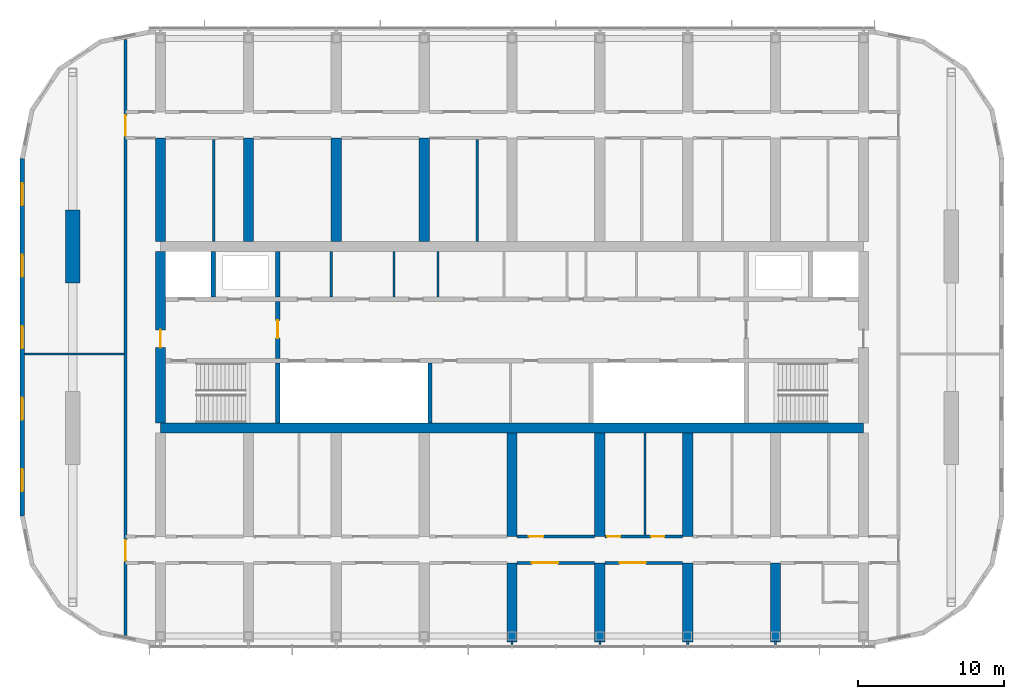
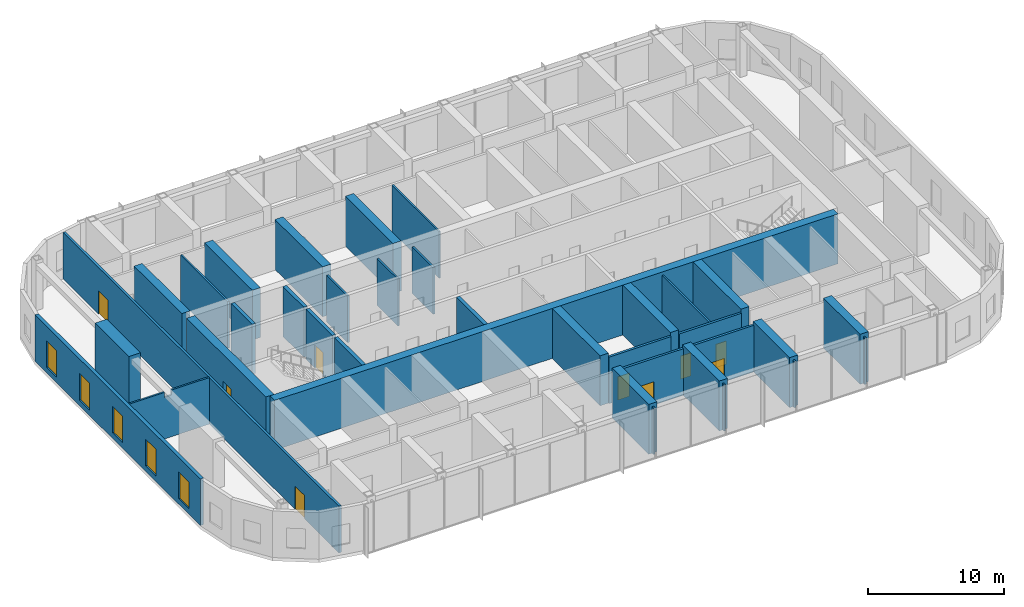
# One storey, part 11 of 21: 36 walls, 9 doors, 5 windows, 14 openings.
"""IFC4 building model written with IfcOpenShell, lengths in metres."""

from ifc_helpers import new_model, si_unit, direction, frame, frame_2d, origin, place, context, subcontext, project, spatial, polyline, rectangle, outline, extrude, material, layer, layer_set, type_object, element, fill, save


model = new_model("IFC4")

# Units and contexts
model_context = context("Model", 3, precision=1e-05, world=origin(), true_north=direction((0.0, 1.0)))
body_context = subcontext(model_context, "Body", "Model", "MODEL_VIEW")
ifc_project = project(units=[si_unit("LENGTHUNIT", "METRE"), si_unit("AREAUNIT", "SQUARE_METRE"), si_unit("VOLUMEUNIT", "CUBIC_METRE"), si_unit("PLANEANGLEUNIT", "RADIAN"), si_unit("MASSUNIT", "GRAM", prefix="KILO")], contexts=[model_context])

# Site, building, storey
site_placement = place(None, origin())
site = spatial("IfcSite", under=ifc_project, at=site_placement, CompositionType="ELEMENT")
building_placement = place(site_placement, origin())
building = spatial("IfcBuilding", under=site, at=building_placement, Name="Orbita Commons", CompositionType="ELEMENT")
storey_placement = place(building_placement, frame((0.0, 0.0, 257.800048828125)))
storey = spatial("IfcBuildingStorey", under=building, at=storey_placement, Name="L64", CompositionType="ELEMENT", Elevation=257.800048828125)

# Wall
ifc_material_1 = material(Name="Concrete C50/60", Category="concrete")
ifc_layer_1 = layer(ifc_material_1, 0.300048828125)
ifc_layer_set_1 = layer_set([ifc_layer_1], Name="Concrete C50/60")
wall_type_1 = type_object("IfcWallType", Name="Core inner wall 300 C50/60", PredefinedType="SHEAR", material=ifc_layer_set_1)
wall_1_placement = place(storey_placement, frame((26.0, 26.14990234375, 0.0), z_axis=(0.0, 0.0, 1.0), x_axis=(0.0, 1.0, 0.0)))
element("IfcWall", 1, at=wall_1_placement, inside=storey, type_object=wall_type_1, Name="Stair S1 wall L64", PredefinedType="SHEAR", context=body_context, shape_type="SweptSolid", body=[
    extrude(rectangle(XDim=4.10009765625, YDim=0.300048828125, at=frame_2d((2.050048828125, 0.0))), origin(), (0.0, 0.0, 1.0), 4.5),
])

# Wall, opening, door
wall_2_placement = place(storey_placement, frame((26.0, 30.550048828125, 0.0), z_axis=(0.0, 0.0, 1.0), x_axis=(0.0, 1.0, 0.0)))
wall_2 = element("IfcWall", 2, at=wall_2_placement, inside=storey, type_object=wall_type_1, Name="Firefighting lobby wall west L64", PredefinedType="SHEAR", context=body_context, shape_type="SweptSolid", body=[
    extrude(rectangle(XDim=3.89990234375, YDim=0.300048828125, at=frame_2d((1.949951171875, 0.0))), origin(), (0.0, 0.0, 1.0), 4.5),
])
opening_1_placement = place(wall_2_placement, frame((1.39990234375, 0.0, 0.0)))
opening_1 = element("IfcOpeningElement", 3, at=opening_1_placement, cuts=wall_2, Name="Opening D04", PredefinedType="OPENING", context=body_context, shape_type="SweptSolid", body=[
    extrude(rectangle(XDim=1.199951171875, YDim=2.10009765625, at=frame_2d((0.60009765625, 1.050048828125))), frame((0.0, 0.159912109375, 0.0), z_axis=(0.0, -1.0, 0.0), x_axis=(1.0, 0.0, 0.0)), (0.0, 0.0, 1.0), 0.320068359375),
])
ifc_material_2 = material(Name="Steel-faced fire door leaf", Category="steel")
door_type_1 = type_object("IfcDoorType", Name="Service door 20 min 1200x2100", OperationType="SINGLE_SWING_LEFT", PredefinedType="DOOR", material=ifc_material_2)
door_1_placement = place(opening_1_placement, origin())
door_1 = element("IfcDoor", 4, at=door_1_placement, inside=storey, type_object=door_type_1, Name="Lift lobby door west", OperationType="SINGLE_SWING_LEFT", OverallHeight=2.10009765625, OverallWidth=1.199951171875, PredefinedType="DOOR", context=body_context, shape_type="SweptSolid", body=[
    extrude(rectangle(XDim=1.199951171875, YDim=2.10009765625, at=frame_2d((0.60009765625, 1.050048828125))), frame((0.0, 0.02490234375, 0.0), z_axis=(0.0, -1.0, 0.0), x_axis=(1.0, 0.0, 0.0)), (0.0, 0.0, 1.0), 0.050048828125),
])
fill(opening_1, door_1)

# Walls
for number, where, z_axis, x_axis, name in (
    (5, (21.60009765625, 34.75, 0.0), (0.0, 0.0, 1.0), (0.0, 1.0, 0.0), "Firefighting lift FL1 shaft wall L64"),
    (6, (26.0, 34.75, 0.0), (0.0, 0.0, 1.0), (0.0, 1.0, 0.0), "Riser wall west L64"),
):
    element("IfcWall", number, at=place(storey_placement, frame(where, z_axis=z_axis, x_axis=x_axis)), inside=storey, type_object=wall_type_1, Name=name, PredefinedType="SHEAR", context=body_context, shape_type="SweptSolid", body=[
        extrude(rectangle(XDim=3.10009765625, YDim=0.300048828125, at=frame_2d((1.550048828125, 0.0))), origin(), (0.0, 0.0, 1.0), 4.5),
    ])
wall_3_placement = place(storey_placement, frame((36.39990234375, 26.14990234375, 0.0), z_axis=(0.0, 0.0, 1.0), x_axis=(0.0, 1.0, 0.0)))
element("IfcWall", 7, at=wall_3_placement, inside=storey, type_object=wall_type_1, Name="Hoistway division wall L64", PredefinedType="SHEAR", context=body_context, shape_type="SweptSolid", body=[
    extrude(rectangle(XDim=4.10009765625, YDim=0.300048828125, at=frame_2d((2.050048828125, 0.0))), origin(), (0.0, 0.0, 1.0), 4.5),
])
ifc_material_3 = material(Name="Concrete blockwork", Category="masonry")
ifc_layer_2 = layer(ifc_material_3, 0.14990234375)
ifc_layer_set_2 = layer_set([ifc_layer_2], Name="Concrete blockwork")
wall_type_2 = type_object("IfcWallType", Name="Core partition 150 blockwork", PredefinedType="SOLIDWALL", material=ifc_layer_set_2)
for number, where, z_axis, x_axis, name in (
    (8, (29.65087890625, 34.75, 0.0), (0.0, 0.0, 1.0), (0.0, 1.0, 0.0), "Core partition 150 blockwork L64"),
    (9, (33.9462890625, 34.75, 0.0), (0.0, 0.0, 1.0), (0.0, 1.0, 0.0), "Core partition 150 blockwork L64"),
    (10, (36.9462890625, 34.75, 0.0), (0.0, 0.0, 1.0), (0.0, 1.0, 0.0), "Core partition 150 blockwork L64"),
):
    element("IfcWall", number, at=place(storey_placement, frame(where, z_axis=z_axis, x_axis=x_axis)), inside=storey, type_object=wall_type_2, Name=name, PredefinedType="SOLIDWALL", context=body_context, shape_type="SweptSolid", body=[
        extrude(rectangle(XDim=3.10009765625, YDim=0.14990234375, at=frame_2d((1.550048828125, 0.0))), origin(), (0.0, 0.0, 1.0), 4.199951171875),
    ])
ifc_material_4 = material(Name="Concrete C50/60", Category="concrete")
ifc_layer_3 = layer(ifc_material_4, 0.699951171875)
ifc_layer_set_3 = layer_set([ifc_layer_3], Name="Concrete C50/60")
wall_type_3 = type_object("IfcWallType", Name="Core wall 700 C50/60", PredefinedType="SHEAR", material=ifc_layer_set_3)
wall_4_placement = place(storey_placement, frame((18.0, 25.800048828125, 0.0), z_axis=(0.0, 0.0, 1.0), x_axis=(1.0, 0.0, 0.0)))
element("IfcWall", 11, at=wall_4_placement, inside=storey, type_object=wall_type_3, Name="Core spine wall south L64", PredefinedType="SHEAR", context=body_context, shape_type="SweptSolid", body=[
    extrude(rectangle(XDim=48.0, YDim=0.699951171875, at=frame_2d((24.0, 0.0))), origin(), (0.0, 0.0, 1.0), 4.5),
])

# Wall, opening, door
wall_5_placement = place(storey_placement, frame((18.0, 26.14990234375, 0.0), z_axis=(0.0, 0.0, 1.0), x_axis=(0.0, 1.0, 0.0)))
wall_5 = element("IfcWall", 12, at=wall_5_placement, inside=storey, type_object=wall_type_3, Name="Core end wall west L64", PredefinedType="SHEAR", context=body_context, shape_type="SweptSolid", body=[
    extrude(rectangle(XDim=11.7001953125, YDim=0.699951171875, at=frame_2d((5.85009765625, 0.0))), origin(), (0.0, 0.0, 1.0), 4.5),
])
opening_2_placement = place(wall_5_placement, frame((5.14990234375, 0.0, 0.0)))
opening_2 = element("IfcOpeningElement", 13, at=opening_2_placement, cuts=wall_5, Name="Opening D01", PredefinedType="OPENING", context=body_context, shape_type="SweptSolid", body=[
    extrude(rectangle(XDim=1.199951171875, YDim=2.10009765625, at=frame_2d((0.60009765625, 1.050048828125))), frame((0.0, 0.35986328125, 0.0), z_axis=(0.0, -1.0, 0.0), x_axis=(1.0, 0.0, 0.0)), (0.0, 0.0, 1.0), 0.719970703125),
])
ifc_material_5 = material(Name="Steel-faced fire door leaf", Category="steel")
door_type_2 = type_object("IfcDoorType", Name="Fire door 90 min 1200x2100", OperationType="SINGLE_SWING_LEFT", PredefinedType="DOOR", material=ifc_material_5)
door_2_placement = place(opening_2_placement, origin())
door_2 = element("IfcDoor", 14, at=door_2_placement, inside=storey, type_object=door_type_2, Name="Firefighting lobby west door", OperationType="SINGLE_SWING_LEFT", OverallHeight=2.10009765625, OverallWidth=1.199951171875, PredefinedType="DOOR", context=body_context, shape_type="SweptSolid", body=[
    extrude(rectangle(XDim=1.199951171875, YDim=2.10009765625, at=frame_2d((0.60009765625, 1.050048828125))), frame((0.0, 0.02490234375, 0.0), z_axis=(0.0, -1.0, 0.0), x_axis=(1.0, 0.0, 0.0)), (0.0, 0.0, 1.0), 0.050048828125),
])
fill(opening_2, door_2)

ifc_material_6 = material(Name="Concrete blockwork", Category="masonry")
ifc_layer_4 = layer(ifc_material_6, 0.199951171875)
ifc_layer_set_4 = layer_set([ifc_layer_4], Name="Concrete blockwork")
wall_type_4 = type_object("IfcWallType", Name="Corridor wall 200 blockwork", PredefinedType="SOLIDWALL", material=ifc_layer_set_4)
wall_6_placement = place(storey_placement, frame((42.35009765625, 16.60009765625, 0.0), z_axis=(0.0, 0.0, 1.0), x_axis=(1.0, 0.0, 0.0)))
wall_6 = element("IfcWall", 15, at=wall_6_placement, inside=storey, type_object=wall_type_4, Name="Corridor wall 200 blockwork L64", PredefinedType="SOLIDWALL", context=body_context, shape_type="SweptSolid", body=[
    extrude(rectangle(XDim=5.2998046875, YDim=0.199951171875, at=frame_2d((2.64990234375, 0.0))), origin(), (0.0, 0.0, 1.0), 4.199951171875),
])
opening_3_placement = place(wall_6_placement, frame((1.0, 0.0, 0.0)))
opening_3 = element("IfcOpeningElement", 16, at=opening_3_placement, cuts=wall_6, Name="Opening D07", PredefinedType="OPENING", context=body_context, shape_type="SweptSolid", body=[
    extrude(rectangle(XDim=1.800048828125, YDim=2.10009765625, at=frame_2d((0.89990234375, 1.050048828125))), frame((0.0, 0.10986328125, 0.0), z_axis=(0.0, -1.0, 0.0), x_axis=(1.0, 0.0, 0.0)), (0.0, 0.0, 1.0), 0.219970703125),
])
ifc_material_7 = material(Name="Steel-faced fire door leaf", Category="steel")
door_type_3 = type_object("IfcDoorType", Name="Double corridor door 20 min 1800x2100", OperationType="DOUBLE_DOOR_SINGLE_SWING", PredefinedType="DOOR", material=ifc_material_7)
door_3_placement = place(opening_3_placement, origin())
door_3 = element("IfcDoor", 17, at=door_3_placement, inside=storey, type_object=door_type_3, Name="Postgraduate common room L64-SF5 doors", OperationType="DOUBLE_DOOR_SINGLE_SWING", OverallHeight=2.10009765625, OverallWidth=1.800048828125, PredefinedType="DOOR", context=body_context, shape_type="SweptSolid", body=[
    extrude(rectangle(XDim=1.800048828125, YDim=2.10009765625, at=frame_2d((0.89990234375, 1.050048828125))), frame((0.0, 0.02490234375, 0.0), z_axis=(0.0, -1.0, 0.0), x_axis=(1.0, 0.0, 0.0)), (0.0, 0.0, 1.0), 0.050048828125),
])
fill(opening_3, door_3)

wall_7_placement = place(storey_placement, frame((48.35009765625, 16.60009765625, 0.0), z_axis=(0.0, 0.0, 1.0), x_axis=(1.0, 0.0, 0.0)))
wall_7 = element("IfcWall", 18, at=wall_7_placement, inside=storey, type_object=wall_type_4, Name="Corridor wall 200 blockwork L64", PredefinedType="SOLIDWALL", context=body_context, shape_type="SweptSolid", body=[
    extrude(rectangle(XDim=5.2998046875, YDim=0.199951171875, at=frame_2d((2.64990234375, 0.0))), origin(), (0.0, 0.0, 1.0), 4.199951171875),
])
opening_4_placement = place(wall_7_placement, frame((1.0, 0.0, 0.0)))
opening_4 = element("IfcOpeningElement", 19, at=opening_4_placement, cuts=wall_7, Name="Opening D07", PredefinedType="OPENING", context=body_context, shape_type="SweptSolid", body=[
    extrude(rectangle(XDim=1.800048828125, YDim=2.10009765625, at=frame_2d((0.89990234375, 1.050048828125))), frame((0.0, 0.10986328125, 0.0), z_axis=(0.0, -1.0, 0.0), x_axis=(1.0, 0.0, 0.0)), (0.0, 0.0, 1.0), 0.219970703125),
])
door_4_placement = place(opening_4_placement, origin())
door_4 = element("IfcDoor", 20, at=door_4_placement, inside=storey, type_object=door_type_3, Name="Writing room L64-SF6 doors", OperationType="DOUBLE_DOOR_SINGLE_SWING", OverallHeight=2.10009765625, OverallWidth=1.800048828125, PredefinedType="DOOR", context=body_context, shape_type="SweptSolid", body=[
    extrude(rectangle(XDim=1.800048828125, YDim=2.10009765625, at=frame_2d((0.89990234375, 1.050048828125))), frame((0.0, 0.02490234375, 0.0), z_axis=(0.0, -1.0, 0.0), x_axis=(1.0, 0.0, 0.0)), (0.0, 0.0, 1.0), 0.050048828125),
])
fill(opening_4, door_4)

# Wall, openings, doors
wall_8_placement = place(storey_placement, frame((15.60009765625, 11.646240234375, 0.0), z_axis=(0.0, 0.0, 1.0), x_axis=(0.0, 1.0, 0.0)))
wall_8 = element("IfcWall", 21, at=wall_8_placement, inside=storey, type_object=wall_type_4, Name="Corridor wall 200 blockwork L64", PredefinedType="SOLIDWALL", context=body_context, shape_type="SweptSolid", body=[
    extrude(rectangle(XDim=40.70751953125, YDim=0.199951171875, at=frame_2d((20.353759765625, 0.0))), origin(), (0.0, 0.0, 1.0), 4.199951171875),
])
opening_5_placement = place(wall_8_placement, frame((5.103759765625, 0.0, 0.0)))
opening_5 = element("IfcOpeningElement", 22, at=opening_5_placement, cuts=wall_8, Name="Opening D08", PredefinedType="OPENING", context=body_context, shape_type="SweptSolid", body=[
    extrude(rectangle(XDim=1.39990234375, YDim=2.10009765625, at=frame_2d((0.699951171875, 1.050048828125))), frame((0.0, 0.10986328125, 0.0), z_axis=(0.0, -1.0, 0.0), x_axis=(1.0, 0.0, 0.0)), (0.0, 0.0, 1.0), 0.219970703125),
])
opening_6_placement = place(wall_8_placement, frame((34.103759765625, 0.0, 0.0)))
opening_6 = element("IfcOpeningElement", 23, at=opening_6_placement, cuts=wall_8, Name="Opening D08", PredefinedType="OPENING", context=body_context, shape_type="SweptSolid", body=[
    extrude(rectangle(XDim=1.39990234375, YDim=2.10009765625, at=frame_2d((0.699951171875, 1.050048828125))), frame((0.0, 0.10986328125, 0.0), z_axis=(0.0, -1.0, 0.0), x_axis=(1.0, 0.0, 0.0)), (0.0, 0.0, 1.0), 0.219970703125),
])
ifc_material_8 = material(Name="Steel-faced fire door leaf", Category="steel")
door_type_4 = type_object("IfcDoorType", Name="Double corridor door 20 min 1400x2100", OperationType="DOUBLE_DOOR_SINGLE_SWING", PredefinedType="DOOR", material=ifc_material_8)
door_5_placement = place(opening_5_placement, origin())
door_5 = element("IfcDoor", 24, at=door_5_placement, inside=storey, type_object=door_type_4, Name="Lounge doors", OperationType="DOUBLE_DOOR_SINGLE_SWING", OverallHeight=2.10009765625, OverallWidth=1.39990234375, PredefinedType="DOOR", context=body_context, shape_type="SweptSolid", body=[
    extrude(rectangle(XDim=1.39990234375, YDim=2.10009765625, at=frame_2d((0.699951171875, 1.050048828125))), frame((0.0, 0.02490234375, 0.0), z_axis=(0.0, -1.0, 0.0), x_axis=(1.0, 0.0, 0.0)), (0.0, 0.0, 1.0), 0.050048828125),
])
fill(opening_5, door_5)
door_6_placement = place(opening_6_placement, origin())
door_6 = element("IfcDoor", 25, at=door_6_placement, inside=storey, type_object=door_type_4, Name="Lounge doors", OperationType="DOUBLE_DOOR_SINGLE_SWING", OverallHeight=2.10009765625, OverallWidth=1.39990234375, PredefinedType="DOOR", context=body_context, shape_type="SweptSolid", body=[
    extrude(rectangle(XDim=1.39990234375, YDim=2.10009765625, at=frame_2d((0.699951171875, 1.050048828125))), frame((0.0, 0.02490234375, 0.0), z_axis=(0.0, -1.0, 0.0), x_axis=(1.0, 0.0, 0.0)), (0.0, 0.0, 1.0), 0.050048828125),
])
fill(opening_6, door_6)

# Wall, opening, door
ifc_material_9 = material(Name="Hollow concrete block 200", Category="concrete")
ifc_layer_5 = layer(ifc_material_9, 0.199951171875)
ifc_layer_set_5 = layer_set([ifc_layer_5], Name="Hollow concrete block 200")
wall_type_5 = type_object("IfcWallType", Name="Corridor wall 200 hollow concrete block", PredefinedType="SOLIDWALL", material=ifc_layer_set_5)
wall_9_placement = place(storey_placement, frame((42.35009765625, 18.39990234375, 0.0), z_axis=(0.0, 0.0, 1.0), x_axis=(1.0, 0.0, 0.0)))
wall_9 = element("IfcWall", 26, at=wall_9_placement, inside=storey, type_object=wall_type_5, Name="Corridor wall 200 hollow concrete block L64", PredefinedType="SOLIDWALL", context=body_context, shape_type="SweptSolid", body=[
    extrude(rectangle(XDim=5.2998046875, YDim=0.199951171875, at=frame_2d((2.64990234375, 0.0))), origin(), (0.0, 0.0, 1.0), 4.199951171875),
])
opening_7_placement = place(wall_9_placement, frame((0.800048828125, 0.0, 0.0)))
opening_7 = element("IfcOpeningElement", 27, at=opening_7_placement, cuts=wall_9, Name="Opening D06", PredefinedType="OPENING", context=body_context, shape_type="SweptSolid", body=[
    extrude(rectangle(XDim=1.0, YDim=2.10009765625, at=frame_2d((0.5, 1.050048828125))), frame((0.0, 0.10986328125, 0.0), z_axis=(0.0, -1.0, 0.0), x_axis=(1.0, 0.0, 0.0)), (0.0, 0.0, 1.0), 0.219970703125),
])
ifc_material_10 = material(Name="Steel-faced fire door leaf", Category="steel")
door_type_5 = type_object("IfcDoorType", Name="Corridor door 20 min 1000x2100", OperationType="SINGLE_SWING_LEFT", PredefinedType="DOOR", material=ifc_material_10)
door_7_placement = place(opening_7_placement, origin())
door_7 = element("IfcDoor", 28, at=door_7_placement, inside=storey, type_object=door_type_5, Name="Cleaners store L64-BDS42 door", OperationType="SINGLE_SWING_LEFT", OverallHeight=2.10009765625, OverallWidth=1.0, PredefinedType="DOOR", context=body_context, shape_type="SweptSolid", body=[
    extrude(rectangle(XDim=1.0, YDim=2.10009765625, at=frame_2d((0.5, 1.050048828125))), frame((0.0, 0.02490234375, 0.0), z_axis=(0.0, -1.0, 0.0), x_axis=(1.0, 0.0, 0.0)), (0.0, 0.0, 1.0), 0.050048828125),
])
fill(opening_7, door_7)

# Wall, openings, doors
wall_10_placement = place(storey_placement, frame((48.35009765625, 18.39990234375, 0.0), z_axis=(0.0, 0.0, 1.0), x_axis=(1.0, 0.0, 0.0)))
wall_10 = element("IfcWall", 29, at=wall_10_placement, inside=storey, type_object=wall_type_5, Name="Corridor wall 200 hollow concrete block L64", PredefinedType="SOLIDWALL", context=body_context, shape_type="SweptSolid", body=[
    extrude(rectangle(XDim=5.2998046875, YDim=0.199951171875, at=frame_2d((2.64990234375, 0.0))), origin(), (0.0, 0.0, 1.0), 4.199951171875),
])
opening_8_placement = place(wall_10_placement, frame((0.14990234375, 0.0, 0.0)))
opening_8 = element("IfcOpeningElement", 30, at=opening_8_placement, cuts=wall_10, Name="Opening D11", PredefinedType="OPENING", context=body_context, shape_type="SweptSolid", body=[
    extrude(rectangle(XDim=0.89990234375, YDim=2.10009765625, at=frame_2d((0.449951171875, 1.050048828125))), frame((0.0, 0.10986328125, 0.0), z_axis=(0.0, -1.0, 0.0), x_axis=(1.0, 0.0, 0.0)), (0.0, 0.0, 1.0), 0.219970703125),
])
opening_9_placement = place(wall_10_placement, frame((3.155029296875, 0.0, 0.0)))
opening_9 = element("IfcOpeningElement", 31, at=opening_9_placement, cuts=wall_10, Name="Opening D11", PredefinedType="OPENING", context=body_context, shape_type="SweptSolid", body=[
    extrude(rectangle(XDim=0.89990234375, YDim=2.10009765625, at=frame_2d((0.449951171875, 1.050048828125))), frame((0.0, 0.10986328125, 0.0), z_axis=(0.0, -1.0, 0.0), x_axis=(1.0, 0.0, 0.0)), (0.0, 0.0, 1.0), 0.219970703125),
])
ifc_material_11 = material(Name="Steel-faced fire door leaf", Category="steel")
door_type_6 = type_object("IfcDoorType", Name="Corridor door 20 min 900x2100", OperationType="SINGLE_SWING_LEFT", PredefinedType="DOOR", material=ifc_material_11)
door_8_placement = place(opening_8_placement, origin())
door_8 = element("IfcDoor", 32, at=door_8_placement, inside=storey, type_object=door_type_6, Name="Staff toilets L64-BDS48 door", OperationType="SINGLE_SWING_LEFT", OverallHeight=2.10009765625, OverallWidth=0.89990234375, PredefinedType="DOOR", context=body_context, shape_type="SweptSolid", body=[
    extrude(rectangle(XDim=0.89990234375, YDim=2.10009765625, at=frame_2d((0.449951171875, 1.050048828125))), frame((0.0, 0.02490234375, 0.0), z_axis=(0.0, -1.0, 0.0), x_axis=(1.0, 0.0, 0.0)), (0.0, 0.0, 1.0), 0.050048828125),
])
fill(opening_8, door_8)
door_9_placement = place(opening_9_placement, origin())
door_9 = element("IfcDoor", 33, at=door_9_placement, inside=storey, type_object=door_type_6, Name="Battery and UPS room L64-BDS48n door", OperationType="SINGLE_SWING_LEFT", OverallHeight=2.10009765625, OverallWidth=0.89990234375, PredefinedType="DOOR", context=body_context, shape_type="SweptSolid", body=[
    extrude(rectangle(XDim=0.89990234375, YDim=2.10009765625, at=frame_2d((0.449951171875, 1.050048828125))), frame((0.0, 0.02490234375, 0.0), z_axis=(0.0, -1.0, 0.0), x_axis=(1.0, 0.0, 0.0)), (0.0, 0.0, 1.0), 0.050048828125),
])
fill(opening_9, door_9)

# Walls
ifc_material_12 = material(Name="Concrete C50/60", Category="concrete")
ifc_layer_6 = layer(ifc_material_12, 0.699951171875)
ifc_layer_set_6 = layer_set([ifc_layer_6], Name="Concrete C50/60")
wall_type_6 = type_object("IfcWallType", Name="Cross wall 700 C50/60", PredefinedType="SHEAR", material=ifc_layer_set_6)
for number, where, z_axis, x_axis, name in (
    (34, (18.0, 38.550048828125, 0.0), (0.0, 0.0, 1.0), (0.0, 1.0, 0.0), "Cross wall 4 north inner L64"),
    (35, (24.0, 38.550048828125, 0.0), (0.0, 0.0, 1.0), (0.0, 1.0, 0.0), "Cross wall 5 north inner L64"),
    (36, (30.0, 38.550048828125, 0.0), (0.0, 0.0, 1.0), (0.0, 1.0, 0.0), "Cross wall 6 north inner L64"),
    (37, (36.0, 38.550048828125, 0.0), (0.0, 0.0, 1.0), (0.0, 1.0, 0.0), "Cross wall 7 north inner L64"),
):
    element("IfcWall", number, at=place(storey_placement, frame(where, z_axis=z_axis, x_axis=x_axis)), inside=storey, type_object=wall_type_6, Name=name, PredefinedType="SHEAR", context=body_context, shape_type="SweptSolid", body=[
        extrude(rectangle(XDim=7.050048828125, YDim=0.699951171875, at=frame_2d((3.52490234375, 0.0))), origin(), (0.0, 0.0, 1.0), 4.5),
    ])
wall_11_placement = place(storey_placement, frame((42.0, 11.199951171875, 0.0), z_axis=(0.0, 0.0, 1.0), x_axis=(0.0, 1.0, 0.0)))
element("IfcWall", 38, at=wall_11_placement, inside=storey, type_object=wall_type_6, Name="Cross wall 8 south outer L64", PredefinedType="SHEAR", context=body_context, shape_type="SweptSolid", body=[
    extrude(rectangle(XDim=5.400146484375, YDim=0.699951171875, at=frame_2d((2.7001953125, 0.0))), origin(), (0.0, 0.0, 1.0), 4.5),
])
wall_12_placement = place(storey_placement, frame((42.0, 18.39990234375, 0.0), z_axis=(0.0, 0.0, 1.0), x_axis=(0.0, 1.0, 0.0)))
element("IfcWall", 39, at=wall_12_placement, inside=storey, type_object=wall_type_6, Name="Cross wall 8 south inner L64", PredefinedType="SHEAR", context=body_context, shape_type="SweptSolid", body=[
    extrude(rectangle(XDim=7.050048828125, YDim=0.699951171875, at=frame_2d((3.52490234375, 0.0))), origin(), (0.0, 0.0, 1.0), 4.5),
])
wall_13_placement = place(storey_placement, frame((48.0, 11.199951171875, 0.0), z_axis=(0.0, 0.0, 1.0), x_axis=(0.0, 1.0, 0.0)))
element("IfcWall", 40, at=wall_13_placement, inside=storey, type_object=wall_type_6, Name="Cross wall 9 south outer L64", PredefinedType="SHEAR", context=body_context, shape_type="SweptSolid", body=[
    extrude(rectangle(XDim=5.400146484375, YDim=0.699951171875, at=frame_2d((2.7001953125, 0.0))), origin(), (0.0, 0.0, 1.0), 4.5),
])
wall_14_placement = place(storey_placement, frame((48.0, 18.39990234375, 0.0), z_axis=(0.0, 0.0, 1.0), x_axis=(0.0, 1.0, 0.0)))
element("IfcWall", 41, at=wall_14_placement, inside=storey, type_object=wall_type_6, Name="Cross wall 9 south inner L64", PredefinedType="SHEAR", context=body_context, shape_type="SweptSolid", body=[
    extrude(rectangle(XDim=7.050048828125, YDim=0.699951171875, at=frame_2d((3.52490234375, 0.0))), origin(), (0.0, 0.0, 1.0), 4.5),
])
wall_15_placement = place(storey_placement, frame((54.0, 11.199951171875, 0.0), z_axis=(0.0, 0.0, 1.0), x_axis=(0.0, 1.0, 0.0)))
element("IfcWall", 42, at=wall_15_placement, inside=storey, type_object=wall_type_6, Name="Cross wall 10 south outer L64", PredefinedType="SHEAR", context=body_context, shape_type="SweptSolid", body=[
    extrude(rectangle(XDim=5.400146484375, YDim=0.699951171875, at=frame_2d((2.7001953125, 0.0))), origin(), (0.0, 0.0, 1.0), 4.5),
])
wall_16_placement = place(storey_placement, frame((54.0, 18.39990234375, 0.0), z_axis=(0.0, 0.0, 1.0), x_axis=(0.0, 1.0, 0.0)))
element("IfcWall", 43, at=wall_16_placement, inside=storey, type_object=wall_type_6, Name="Cross wall 10 south inner L64", PredefinedType="SHEAR", context=body_context, shape_type="SweptSolid", body=[
    extrude(rectangle(XDim=7.050048828125, YDim=0.699951171875, at=frame_2d((3.52490234375, 0.0))), origin(), (0.0, 0.0, 1.0), 4.5),
])
wall_17_placement = place(storey_placement, frame((60.0, 11.199951171875, 0.0), z_axis=(0.0, 0.0, 1.0), x_axis=(0.0, 1.0, 0.0)))
element("IfcWall", 44, at=wall_17_placement, inside=storey, type_object=wall_type_6, Name="Cross wall 11 south outer L64", PredefinedType="SHEAR", context=body_context, shape_type="SweptSolid", body=[
    extrude(rectangle(XDim=5.400146484375, YDim=0.699951171875, at=frame_2d((2.7001953125, 0.0))), origin(), (0.0, 0.0, 1.0), 4.5),
])
ifc_material_13 = material(Name="Concrete C50/60", Category="concrete")
ifc_layer_7 = layer(ifc_material_13, 1.0)
ifc_layer_set_7 = layer_set([ifc_layer_7], Name="Concrete C50/60")
wall_type_7 = type_object("IfcWallType", Name="End pier 1000x5000 C50/60", PredefinedType="SHEAR", material=ifc_layer_set_7)
wall_18_placement = place(storey_placement, frame((12.0, 35.699951171875, 0.0), z_axis=(0.0, 0.0, 1.0), x_axis=(0.0, 1.0, 0.0)))
element("IfcWall", 45, at=wall_18_placement, inside=storey, type_object=wall_type_7, Name="End pier 3/D L64", PredefinedType="SHEAR", context=body_context, shape_type="SweptSolid", body=[
    extrude(rectangle(XDim=5.0, YDim=1.0, at=frame_2d((2.5, 0.0))), origin(), (0.0, 0.0, 1.0), 4.5),
])
ifc_material_14 = material(Name="Gypsum plasterboard on steel studs", Category="steel")
ifc_layer_8 = layer(ifc_material_14, 0.14990234375)
ifc_layer_set_8 = layer_set([ifc_layer_8], Name="Gypsum plasterboard on steel studs")
wall_type_8 = type_object("IfcWallType", Name="Partition 150 plasterboard", PredefinedType="PARTITIONING", material=ifc_layer_set_8)
for number, where, z_axis, x_axis, name in (
    (46, (51.080078125, 18.5, 0.0), (0.0, 0.0, 1.0), (0.0, 1.0, 0.0), "Partition 150 plasterboard L64"),
    (47, (21.625, 38.550048828125, 0.0), (0.0, 0.0, 1.0), (0.0, 1.0, 0.0), "Partition 150 plasterboard L64"),
    (48, (39.6298828125, 38.550048828125, 0.0), (0.0, 0.0, 1.0), (0.0, 1.0, 0.0), "Partition 150 plasterboard L64"),
):
    element("IfcWall", number, at=place(storey_placement, frame(where, z_axis=z_axis, x_axis=x_axis)), inside=storey, type_object=wall_type_8, Name=name, PredefinedType="PARTITIONING", context=body_context, shape_type="SweptSolid", body=[
        extrude(rectangle(XDim=6.949951171875, YDim=0.14990234375, at=frame_2d((3.47509765625, 0.0))), origin(), (0.0, 0.0, 1.0), 4.199951171875),
    ])
wall_19_placement = place(storey_placement, frame((8.705078125, 30.85009765625, 0.0), z_axis=(0.0, 0.0, 1.0), x_axis=(1.0, 0.0, 0.0)))
element("IfcWall", 49, at=wall_19_placement, inside=storey, type_object=wall_type_8, Name="Partition 150 plasterboard L64", PredefinedType="PARTITIONING", context=body_context, shape_type="SweptSolid", body=[
    extrude(outline(polyline([(0.0, 0.0), (6.81982421875, 0.0), (6.820068359375, 4.199951171875), (3.596923828125, 4.199951171875), (3.594970703125, 3.75), (2.9970703125, 3.75), (2.9951171875, 4.199951171875), (0.0, 4.199951171875), (0.0, 0.0)])), frame((0.0, 0.074951171875, 0.0), z_axis=(0.0, -1.0, 0.0), x_axis=(1.0, 0.0, 0.0)), (0.0, 0.0, 1.0), 0.14990234375),
])
for number, where, z_axis, x_axis, name in (
    (50, (42.0, 11.300048828125, 0.0), (0.0, 0.0, 1.0), (0.0, -1.0, 0.0), "Partition 150 plasterboard L64"),
    (51, (48.0, 11.300048828125, 0.0), (0.0, 0.0, 1.0), (0.0, -1.0, 0.0), "Partition 150 plasterboard L64"),
    (52, (54.0, 11.300048828125, 0.0), (0.0, 0.0, 1.0), (0.0, -1.0, 0.0), "Partition 150 plasterboard L64"),
    (53, (60.0, 11.300048828125, 0.0), (0.0, 0.0, 1.0), (0.0, -1.0, 0.0), "Partition 150 plasterboard L64"),
):
    element("IfcWall", number, at=place(storey_placement, frame(where, z_axis=z_axis, x_axis=x_axis)), inside=storey, type_object=wall_type_8, Name=name, PredefinedType="PARTITIONING", context=body_context, shape_type="SweptSolid", body=[
        extrude(rectangle(XDim=0.2900390625, YDim=0.14990234375, at=frame_2d((0.14501953125, 0.0))), origin(), (0.0, 0.0, 1.0), 4.199951171875),
    ])

# Wall, openings, windows
ifc_material_15 = material(Name="Precast concrete C40/50, white board-marked finish", Category="concrete")
ifc_layer_9 = layer(ifc_material_15, 0.300048828125)
ifc_layer_set_9 = layer_set([ifc_layer_9], Name="Precast concrete C40/50, white board-marked finish")
wall_type_9 = type_object("IfcWallType", Name="Precast concrete end shield 300", PredefinedType="SOLIDWALL", material=ifc_layer_set_9)
wall_20_placement = place(storey_placement, frame((8.550048828125, 44.199951171875, 0.0), z_axis=(0.0, 0.0, 1.0), x_axis=(0.0, -1.0, 0.0)))
wall_20 = element("IfcWall", 54, at=wall_20_placement, inside=storey, type_object=wall_type_9, Name="End shield W L64", PredefinedType="SOLIDWALL", context=body_context, shape_type="SweptSolid", body=[
    extrude(outline(polyline([(-0.014892578125, -0.14990234375), (24.414794921875, -0.14990234375), (24.385009765625, 0.14990234375), (0.014892578125, 0.14990234375), (-0.014892578125, -0.14990234375)])), origin(), (0.0, 0.0, 1.0), 4.199951171875),
])
opening_10_placement = place(wall_20_placement, frame((1.68994140625, 0.0, 0.5)))
opening_10 = element("IfcOpeningElement", 55, at=opening_10_placement, cuts=wall_20, Name="Opening W03", PredefinedType="OPENING", context=body_context, shape_type="SweptSolid", body=[
    extrude(rectangle(XDim=1.5, YDim=2.39990234375, at=frame_2d((0.75, 1.199951171875))), frame((0.0, 0.159912109375, 0.0), z_axis=(0.0, -1.0, 0.0), x_axis=(1.0, 0.0, 0.0)), (0.0, 0.0, 1.0), 0.320068359375),
])
opening_11_placement = place(wall_20_placement, frame((6.570068359375, 0.0, 0.5)))
opening_11 = element("IfcOpeningElement", 56, at=opening_11_placement, cuts=wall_20, Name="Opening W03", PredefinedType="OPENING", context=body_context, shape_type="SweptSolid", body=[
    extrude(rectangle(XDim=1.5, YDim=2.39990234375, at=frame_2d((0.75, 1.199951171875))), frame((0.0, 0.159912109375, 0.0), z_axis=(0.0, -1.0, 0.0), x_axis=(1.0, 0.0, 0.0)), (0.0, 0.0, 1.0), 0.320068359375),
])
opening_12_placement = place(wall_20_placement, frame((11.449951171875, 0.0, 0.5)))
opening_12 = element("IfcOpeningElement", 57, at=opening_12_placement, cuts=wall_20, Name="Opening W03", PredefinedType="OPENING", context=body_context, shape_type="SweptSolid", body=[
    extrude(rectangle(XDim=1.5, YDim=2.39990234375, at=frame_2d((0.75, 1.199951171875))), frame((0.0, 0.159912109375, 0.0), z_axis=(0.0, -1.0, 0.0), x_axis=(1.0, 0.0, 0.0)), (0.0, 0.0, 1.0), 0.320068359375),
])
opening_13_placement = place(wall_20_placement, frame((16.330078125, 0.0, 0.5)))
opening_13 = element("IfcOpeningElement", 58, at=opening_13_placement, cuts=wall_20, Name="Opening W03", PredefinedType="OPENING", context=body_context, shape_type="SweptSolid", body=[
    extrude(rectangle(XDim=1.5, YDim=2.39990234375, at=frame_2d((0.75, 1.199951171875))), frame((0.0, 0.159912109375, 0.0), z_axis=(0.0, -1.0, 0.0), x_axis=(1.0, 0.0, 0.0)), (0.0, 0.0, 1.0), 0.320068359375),
])
opening_14_placement = place(wall_20_placement, frame((21.2099609375, 0.0, 0.5)))
opening_14 = element("IfcOpeningElement", 59, at=opening_14_placement, cuts=wall_20, Name="Opening W03", PredefinedType="OPENING", context=body_context, shape_type="SweptSolid", body=[
    extrude(rectangle(XDim=1.5, YDim=2.39990234375, at=frame_2d((0.75, 1.199951171875))), frame((0.0, 0.159912109375, 0.0), z_axis=(0.0, -1.0, 0.0), x_axis=(1.0, 0.0, 0.0)), (0.0, 0.0, 1.0), 0.320068359375),
])
ifc_material_16 = material(Name="Aluminium frame, clear double glazing", Category="aluminium")
window_type = type_object("IfcWindowType", Name="Deep-set window 1500x2400", PartitioningType="SINGLE_PANEL", PredefinedType="WINDOW", material=ifc_material_16)
window_1_placement = place(opening_10_placement, origin())
window_1 = element("IfcWindow", 60, at=window_1_placement, inside=storey, type_object=window_type, Name="Window L64-W 1", OverallHeight=2.39990234375, OverallWidth=1.5, PartitioningType="SINGLE_PANEL", PredefinedType="WINDOW", context=body_context, shape_type="SweptSolid", body=[
    extrude(rectangle(XDim=1.5, YDim=2.39990234375, at=frame_2d((0.75, 1.199951171875))), frame((0.0, 0.030029296875, 0.0), z_axis=(0.0, -1.0, 0.0), x_axis=(1.0, 0.0, 0.0)), (0.0, 0.0, 1.0), 0.06005859375),
])
fill(opening_10, window_1)
window_2_placement = place(opening_11_placement, origin())
window_2 = element("IfcWindow", 61, at=window_2_placement, inside=storey, type_object=window_type, Name="Window L64-W 2", OverallHeight=2.39990234375, OverallWidth=1.5, PartitioningType="SINGLE_PANEL", PredefinedType="WINDOW", context=body_context, shape_type="SweptSolid", body=[
    extrude(rectangle(XDim=1.5, YDim=2.39990234375, at=frame_2d((0.75, 1.199951171875))), frame((0.0, 0.030029296875, 0.0), z_axis=(0.0, -1.0, 0.0), x_axis=(1.0, 0.0, 0.0)), (0.0, 0.0, 1.0), 0.06005859375),
])
fill(opening_11, window_2)
window_3_placement = place(opening_12_placement, origin())
window_3 = element("IfcWindow", 62, at=window_3_placement, inside=storey, type_object=window_type, Name="Window L64-W 3", OverallHeight=2.39990234375, OverallWidth=1.5, PartitioningType="SINGLE_PANEL", PredefinedType="WINDOW", context=body_context, shape_type="SweptSolid", body=[
    extrude(rectangle(XDim=1.5, YDim=2.39990234375, at=frame_2d((0.75, 1.199951171875))), frame((0.0, 0.030029296875, 0.0), z_axis=(0.0, -1.0, 0.0), x_axis=(1.0, 0.0, 0.0)), (0.0, 0.0, 1.0), 0.06005859375),
])
fill(opening_12, window_3)
window_4_placement = place(opening_13_placement, origin())
window_4 = element("IfcWindow", 63, at=window_4_placement, inside=storey, type_object=window_type, Name="Window L64-W 4", OverallHeight=2.39990234375, OverallWidth=1.5, PartitioningType="SINGLE_PANEL", PredefinedType="WINDOW", context=body_context, shape_type="SweptSolid", body=[
    extrude(rectangle(XDim=1.5, YDim=2.39990234375, at=frame_2d((0.75, 1.199951171875))), frame((0.0, 0.030029296875, 0.0), z_axis=(0.0, -1.0, 0.0), x_axis=(1.0, 0.0, 0.0)), (0.0, 0.0, 1.0), 0.06005859375),
])
fill(opening_13, window_4)
window_5_placement = place(opening_14_placement, origin())
window_5 = element("IfcWindow", 64, at=window_5_placement, inside=storey, type_object=window_type, Name="Window L64-W 5", OverallHeight=2.39990234375, OverallWidth=1.5, PartitioningType="SINGLE_PANEL", PredefinedType="WINDOW", context=body_context, shape_type="SweptSolid", body=[
    extrude(rectangle(XDim=1.5, YDim=2.39990234375, at=frame_2d((0.75, 1.199951171875))), frame((0.0, 0.030029296875, 0.0), z_axis=(0.0, -1.0, 0.0), x_axis=(1.0, 0.0, 0.0)), (0.0, 0.0, 1.0), 0.06005859375),
])
fill(opening_14, window_5)

save(model, "model.ifc")
